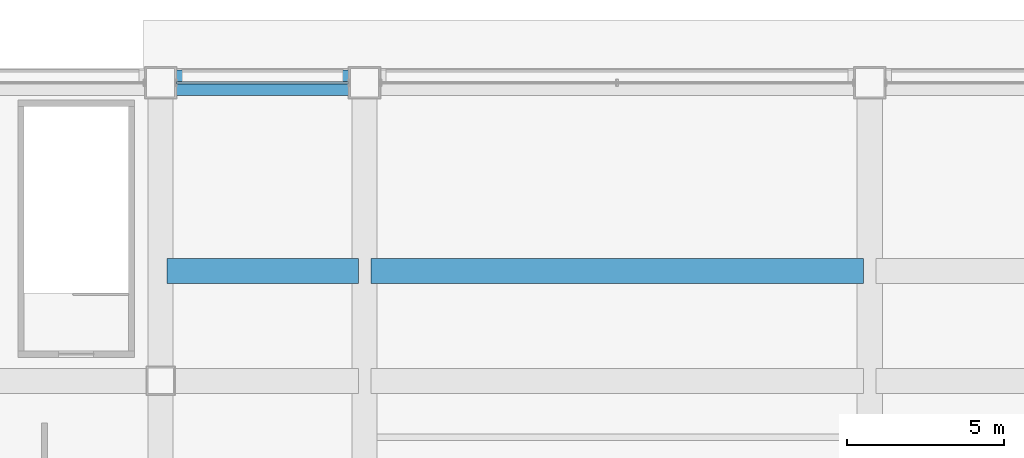
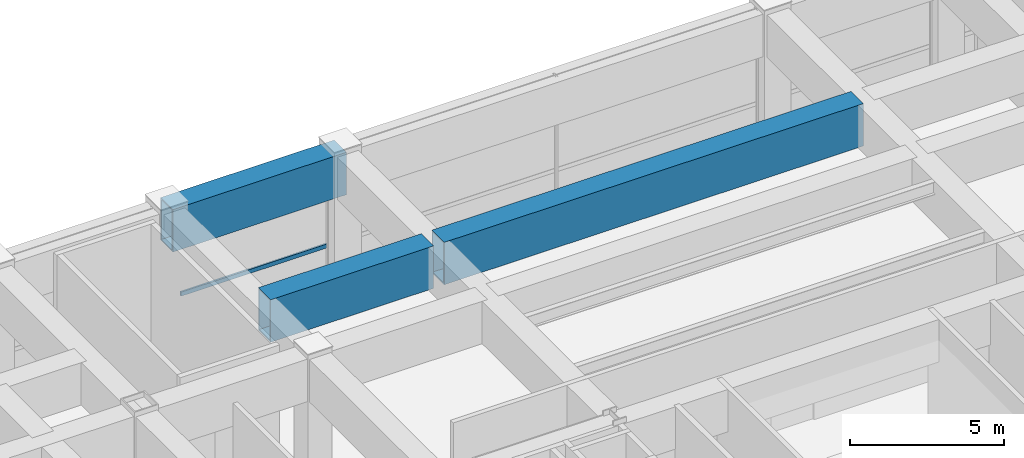
# One storey, part 18 of 30: 3 beams, 1 member, 1 element without a shape of its own.
"""IFC4 building model written with IfcOpenShell, lengths in metres."""

from ifc_helpers import new_model, si_unit, direction, frame, origin, origin_2d, place, context, subcontext, project, spatial, hollow_rectangle, extrude, material, layer, layer_set, material_profile, profile_set, type_object, element, aggregate, save


model = new_model("IFC4")

# Units and contexts
model_context = context("Model", 3, precision=1e-05, world=origin(), true_north=direction((0.0, 1.0)))
body_context = subcontext(model_context, "Body", "Model", "MODEL_VIEW")
ifc_project = project(units=[si_unit("LENGTHUNIT", "METRE"), si_unit("AREAUNIT", "SQUARE_METRE"), si_unit("VOLUMEUNIT", "CUBIC_METRE"), si_unit("PLANEANGLEUNIT", "RADIAN"), si_unit("MASSUNIT", "GRAM", prefix="KILO")], contexts=[model_context])

# Site, building, storey
site_placement = place(None, origin())
site = spatial("IfcSite", under=ifc_project, at=site_placement, CompositionType="ELEMENT")
building_placement = place(site_placement, origin())
building = spatial("IfcBuilding", under=site, at=building_placement, Name="Brelmoor Portico Tower", CompositionType="ELEMENT")
storey_placement = place(building_placement, frame((0.0, 0.0, 19.199951171875)))
storey = spatial("IfcBuildingStorey", under=building, at=storey_placement, Name="L04", CompositionType="ELEMENT", Elevation=19.199951171875)

# Beams
ifc_material_1 = material(Name="Steel Q355B", Category="steel")
ifc_material_profile_1 = material_profile(ifc_material_1, hollow_rectangle(XDim=0.800048828125, YDim=1.679931640625, WallThickness=0.044921875, at=origin_2d()), Name="BOX 800x1680x45")
ifc_profile_set_1 = profile_set([ifc_material_profile_1], Name="Steel Q355B")
beam_type = type_object("IfcBeamType", Name="BM-TG-Z1", PredefinedType="BEAM", material=ifc_profile_set_1)
beam_1_placement = place(storey_placement, frame((-14.550048828125, 27.550048828125, 3.760009765625), z_axis=(1.0, 0.0, 0.0), x_axis=(0.0, 1.0, 0.0)))
element("IfcBeam", 1, at=beam_1_placement, inside=storey, type_object=beam_type, Name="L04 Perimeter Transfer Beam SP-10", PredefinedType="BEAM", context=body_context, shape_type="SweptSolid", body=[
    extrude(hollow_rectangle(XDim=0.800048828125, YDim=1.679931640625, WallThickness=0.044921875, at=origin_2d()), origin(), (0.0, 0.0, 1.0), 6.5),
])
beam_2_placement = place(storey_placement, frame((-14.35009765625, 21.550048828125, 3.760009765625), z_axis=(1.0, 0.0, 0.0), x_axis=(0.0, 1.0, 0.0)))
element("IfcBeam", 2, at=beam_2_placement, inside=storey, type_object=beam_type, Name="L04 Setback Transfer Girder TGN-09", PredefinedType="BEAM", context=body_context, shape_type="SweptSolid", body=[
    extrude(hollow_rectangle(XDim=0.800048828125, YDim=1.679931640625, WallThickness=0.044921875, at=origin_2d()), origin(), (0.0, 0.0, 1.0), 6.10009765625),
])
beam_3_placement = place(storey_placement, frame((-7.85009765625, 21.550048828125, 3.760009765625), z_axis=(1.0, 0.0, 0.0), x_axis=(0.0, 1.0, 0.0)))
element("IfcBeam", 3, at=beam_3_placement, inside=storey, type_object=beam_type, Name="L04 Setback Transfer Girder TGN-10", PredefinedType="BEAM", context=body_context, shape_type="SweptSolid", body=[
    extrude(hollow_rectangle(XDim=0.800048828125, YDim=1.679931640625, WallThickness=0.044921875, at=origin_2d()), origin(), (0.0, 0.0, 1.0), 15.7001953125),
])

# Curtain wall, member
ifc_material_2 = material(Name="Anodised Aluminium Alloy 6063-T6", Category="aluminium")
ifc_layer = layer(ifc_material_2, 0.179931640625)
ifc_layer_set = layer_set([ifc_layer], Name="Anodised Aluminium Alloy 6063-T6")
curtain_wall_type = type_object("IfcCurtainWallType", Name="CW-PODIUM-ARCH", PredefinedType="NOTDEFINED", material=ifc_layer_set)
curtain_wall_placement = place(storey_placement, origin())
curtain_wall = element("IfcCurtainWall", 4, at=curtain_wall_placement, inside=storey, type_object=curtain_wall_type, Name="L04 Curtain Wall CW-L04-02-3", PredefinedType="NOTDEFINED")
ifc_material_profile_2 = material_profile(ifc_material_2, hollow_rectangle(XDim=0.070068359375, YDim=0.159912109375, WallThickness=0.00390625, at=origin_2d()), Name="ALU TRANSOM 70x160")
ifc_profile_set_2 = profile_set([ifc_material_profile_2], Name="Anodised Aluminium Alloy 6063-T6")
member_type = type_object("IfcMemberType", Name="MB-CW-TRAN-160", PredefinedType="USERDEFINED", material=ifc_profile_set_2)
member_placement = place(storey_placement, frame((-14.0400390625, 27.550048828125, 0.85009765625), z_axis=(1.0, 0.0, 0.0), x_axis=(0.0, 1.0, 0.0)))
member = element("IfcMember", 5, at=member_placement, type_object=member_type, Name="CW-L04-02-3 Transom 1-00", ObjectType="TRANSOM", PredefinedType="USERDEFINED", context=body_context, shape_type="SweptSolid", body=[
    extrude(hollow_rectangle(XDim=0.070068359375, YDim=0.159912109375, WallThickness=0.00390625, at=origin_2d()), origin(), (0.0, 0.0, 1.0), 5.47998046875),
])
aggregate(curtain_wall, [member])

save(model, "model.ifc")
